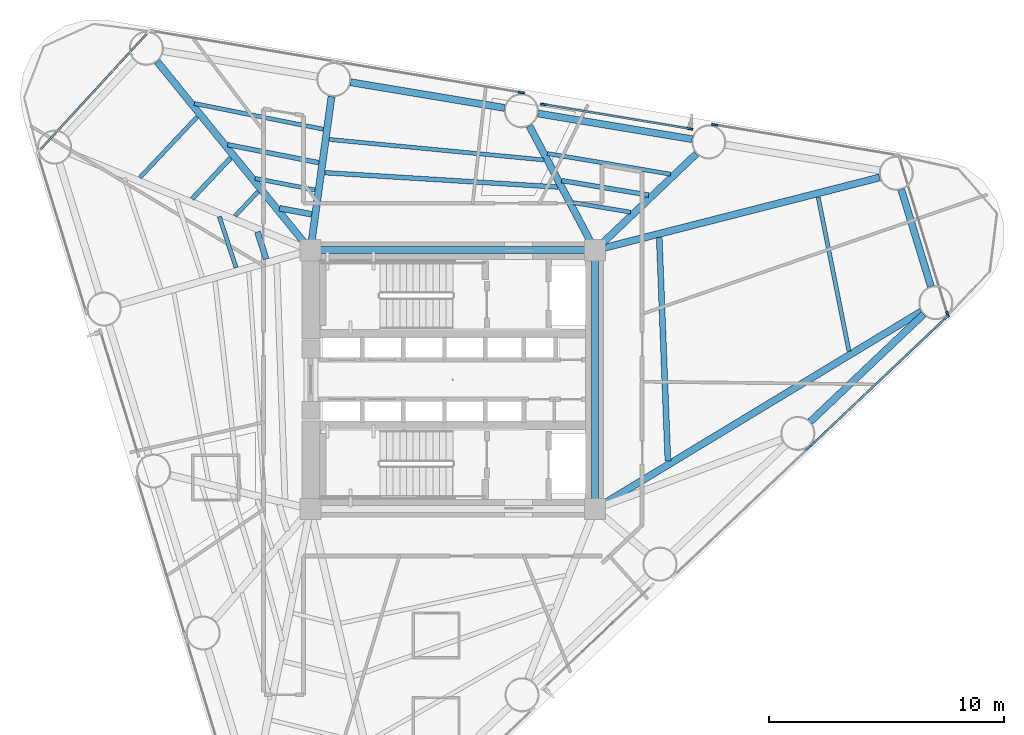
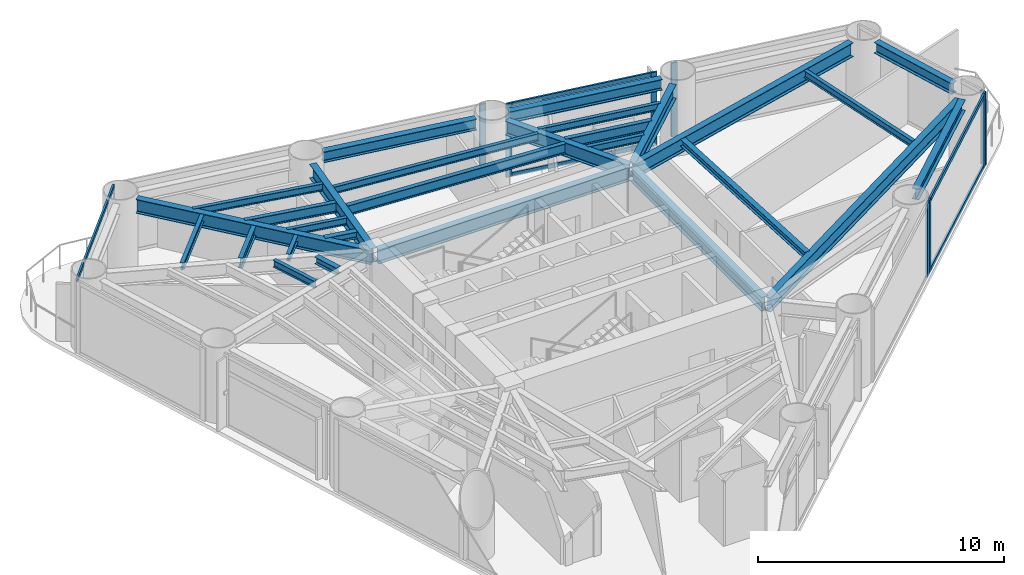
# One storey, part 3 of 10: 28 beams, 14 members, 7 elements without a shape of their own.
"""IFC4 building model written with IfcOpenShell, lengths in metres."""

import ifcopenshell
import ifcopenshell.guid

model = None  # the IFC model being written
_history = None  # IfcOwnerHistory: only IFC2X3 demands one
_inside = {}  # id of a spatial element -> (the spatial element, [elements in it])
_under = {}  # id of a project, library or spatial element -> (it, [spatial elements below it])
_declared = {}  # id of a project -> (the project, [libraries it declares])
_typed = {}  # id of a type object -> (the type object, [elements of that type])
_made_of = {}  # id of a material, layer set ... -> (it, [elements and type objects made of it])


def new_model(schema):
    """Start an empty IFC model of exactly this schema.

    Asked for "IFC4X3", IfcOpenShell would pick the latest addendum, in which some entities
    have other attributes; the version numbers below select the first issue.
    IFC2X3 requires an IfcOwnerHistory on every rooted entity: one is made here for all.
    """
    global model, _history
    if schema == "IFC4X3":
        model = ifcopenshell.file(schema_version=(4, 3, 0, 0))
    else:
        model = ifcopenshell.file(schema=schema)
    _inside.clear()
    _under.clear()
    _declared.clear()
    _typed.clear()
    _made_of.clear()
    _history = None
    if model.schema == "IFC2X3":
        org = make("IfcOrganization", Name="unknown")
        user = make(
            "IfcPersonAndOrganization",
            ThePerson=make("IfcPerson", FamilyName="unknown"),
            TheOrganization=org,
        )
        app = make(
            "IfcApplication",
            ApplicationDeveloper=org,
            Version="unknown",
            ApplicationFullName="unknown",
            ApplicationIdentifier="unknown",
        )
        _history = make(
            "IfcOwnerHistory",
            OwningUser=user,
            OwningApplication=app,
            ChangeAction="ADDED",
            CreationDate=0,
        )
    return model


def make(cls, **values):
    """One entity of the class cls with the attributes given. An attribute that is None is left unset."""
    return model.create_entity(
        cls, **{name: value for name, value in values.items() if value is not None}
    )


def rooted(cls, **values):
    """An entity with a GlobalId (a new one), such as an element, a storey or a relation."""
    return make(cls, GlobalId=ifcopenshell.guid.new(), OwnerHistory=_history, **values)


def si_unit(unit_type, name, prefix=None):
    """IfcSIUnit, for example si_unit("LENGTHUNIT", "METRE", prefix="MILLI")."""
    return make("IfcSIUnit", UnitType=unit_type, Prefix=prefix, Name=name)


def assignment(units):
    """IfcUnitAssignment: the units of a project."""
    return None if units is None else make("IfcUnitAssignment", Units=units)


def point(xyz):
    """IfcCartesianPoint."""
    return None if xyz is None else make("IfcCartesianPoint", Coordinates=xyz)


def direction(xyz):
    """IfcDirection."""
    return None if xyz is None else make("IfcDirection", DirectionRatios=xyz)


def frame(location, z_axis=None, x_axis=None):
    """IfcAxis2Placement3D, a coordinate frame: its origin and axes. An axis left out is left unset."""
    return make(
        "IfcAxis2Placement3D",
        Location=point(location),
        Axis=direction(z_axis),
        RefDirection=direction(x_axis),
    )


def frame_2d(location, x_axis=None):
    """IfcAxis2Placement2D, a coordinate frame in the plane: its origin and x axis."""
    return make(
        "IfcAxis2Placement2D", Location=point(location), RefDirection=direction(x_axis)
    )


def origin():
    """The frame at (0, 0, 0) with its axes left unset."""
    return frame((0.0, 0.0, 0.0))


def origin_2d():
    """The frame at (0, 0) in the plane with its x axis left unset."""
    return frame_2d((0.0, 0.0))


def place(relative_to, where):
    """IfcLocalPlacement: puts the frame where relative to a parent placement (None: the world)."""
    return make(
        "IfcLocalPlacement", PlacementRelTo=relative_to, RelativePlacement=where
    )


def context(
    kind, dimensions, precision=None, world=None, true_north=None, identifier=None
):
    """IfcGeometricRepresentationContext, for example the 3D "Model" context."""
    return make(
        "IfcGeometricRepresentationContext",
        ContextIdentifier=identifier,
        ContextType=kind,
        CoordinateSpaceDimension=dimensions,
        Precision=precision,
        WorldCoordinateSystem=world,
        TrueNorth=true_north,
    )


def subcontext(parent, identifier, kind, view, scale=None):
    """IfcGeometricRepresentationSubContext, for example "Body" below "Model"."""
    return make(
        "IfcGeometricRepresentationSubContext",
        ContextIdentifier=identifier,
        ContextType=kind,
        ParentContext=parent,
        TargetScale=scale,
        TargetView=view,
    )


def project(units=None, contexts=None):
    """IfcProject with its units and contexts."""
    return rooted(
        "IfcProject",
        Name="project",
        RepresentationContexts=contexts,
        UnitsInContext=assignment(units),
    )


def spatial(cls, under=None, at=None, **own):
    """A site, building, storey or space (cls), placed at a placement, below another one or the project."""
    s = rooted(cls, ObjectPlacement=at, **own)
    if under is not None:
        _under.setdefault(under.id(), (under, []))[1].append(s)
    return s


def profile(cls, at=None, kind="AREA", **sizes):
    """A parametric profile (cls). Its sizes go by their IFC names, for example OverallWidth=200.0."""
    return make(cls, ProfileType=kind, Position=at, **sizes)


def rectangle(**sizes):
    """IfcRectangleProfileDef."""
    return profile("IfcRectangleProfileDef", **sizes)


def i_section(**sizes):
    """IfcIShapeProfileDef."""
    return profile("IfcIShapeProfileDef", **sizes)


def extrude(swept, where, along, depth):
    """IfcExtrudedAreaSolid: the profile swept, set in the frame where, extruded along a direction by depth."""
    return make(
        "IfcExtrudedAreaSolid",
        SweptArea=swept,
        Position=where,
        ExtrudedDirection=direction(along),
        Depth=depth,
    )


def shape(context_of_items, identifier, shape_type, items):
    """IfcShapeRepresentation: the items that make up one representation, for example the "Body"."""
    return make(
        "IfcShapeRepresentation",
        ContextOfItems=context_of_items,
        RepresentationIdentifier=identifier,
        RepresentationType=shape_type,
        Items=items,
    )


def source(mapping_origin, context_of_items, identifier, shape_type, items):
    """IfcRepresentationMap: a shape defined once, which mapped items show again and again."""
    return make(
        "IfcRepresentationMap",
        MappingOrigin=mapping_origin,
        MappedRepresentation=shape(context_of_items, identifier, shape_type, items),
    )


def transform(
    local_origin,
    x_axis=None,
    y_axis=None,
    z_axis=None,
    scale=None,
    scale2=None,
    scale3=None,
    uniform=True,
):
    """IfcCartesianTransformationOperator3D, or its non-uniform kind. x_axis, y_axis, z_axis: its Axis1, 2, 3."""
    if uniform:
        return make(
            "IfcCartesianTransformationOperator3D",
            Axis1=direction(x_axis),
            Axis2=direction(y_axis),
            LocalOrigin=point(local_origin),
            Scale=scale,
            Axis3=direction(z_axis),
        )
    return make(
        "IfcCartesianTransformationOperator3DnonUniform",
        Axis1=direction(x_axis),
        Axis2=direction(y_axis),
        LocalOrigin=point(local_origin),
        Scale=scale,
        Axis3=direction(z_axis),
        Scale2=scale2,
        Scale3=scale3,
    )


def mapped(mapping_source, mapping_target):
    """IfcMappedItem: shows the shape of a source again, moved by a transform."""
    return make(
        "IfcMappedItem", MappingSource=mapping_source, MappingTarget=mapping_target
    )


def material(Name=None, Category=None):
    """IfcMaterial."""
    return make("IfcMaterial", Name=Name, Category=Category)


def layer(
    of_material, thickness, ventilated=None, Name=None, Category=None, Priority=None
):
    """IfcMaterialLayer: one layer of a wall or slab, of a material (None: an air gap)."""
    return make(
        "IfcMaterialLayer",
        Material=of_material,
        LayerThickness=thickness,
        IsVentilated=ventilated,
        Name=Name,
        Category=Category,
        Priority=Priority,
    )


def layer_set(layers, Name=None):
    """IfcMaterialLayerSet."""
    return make("IfcMaterialLayerSet", MaterialLayers=layers, LayerSetName=Name)


def material_profile(
    of_material, cross_section, Name=None, Category=None, Priority=None
):
    """IfcMaterialProfile: a cross section and its material."""
    return make(
        "IfcMaterialProfile",
        Name=Name,
        Material=of_material,
        Profile=cross_section,
        Priority=Priority,
        Category=Category,
    )


def profile_set(profiles, Name=None, composite=None):
    """IfcMaterialProfileSet."""
    return make(
        "IfcMaterialProfileSet",
        Name=Name,
        MaterialProfiles=profiles,
        CompositeProfile=composite,
    )


def made_of(thing, what):
    """Note that an element or type object is made of a material, layer set ...; save() writes the relation."""
    if what is not None:
        _made_of.setdefault(what.id(), (what, []))[1].append(thing)
    return thing


def type_object(cls, material=None, **own):
    """A type object (cls), such as IfcWallType, which elements share."""
    return made_of(rooted(cls, **own), material)


def element(
    cls,
    number,
    at=None,
    inside=None,
    cuts=None,
    type_object=None,
    material=None,
    context=None,
    identifier="Body",
    shape_type=None,
    held_by="IfcProductDefinitionShape",
    body=None,
    shapes=None,
    **own,
):
    """One element of the class cls, such as IfcWall. Its Tag is "e" and its number.

    at: its placement. inside: the storey or other place that contains it. cuts: it is an
    opening in that element (IfcRelVoidsElement). A single representation is given by context,
    identifier, shape_type and body (its items); several are given by shapes. held_by: the class
    of the entity that holds the representations. save() writes the other relations.
    """
    e = rooted(cls, Tag="e%d" % number, ObjectPlacement=at, **own)
    if body is not None:
        shapes = [shape(context, identifier, shape_type, body)]
    if shapes is not None:
        e.Representation = make(held_by, Representations=shapes)
    if inside is not None:
        _inside.setdefault(inside.id(), (inside, []))[1].append(e)
    if cuts is not None:
        rooted(
            "IfcRelVoidsElement", RelatingBuildingElement=cuts, RelatedOpeningElement=e
        )
    if type_object is not None:
        _typed.setdefault(type_object.id(), (type_object, []))[1].append(e)
    return made_of(e, material)


def aggregate(whole, parts):
    """IfcRelAggregates: a whole, such as a stair, and the parts it consists of."""
    return rooted("IfcRelAggregates", RelatingObject=whole, RelatedObjects=parts)


def save(model, path):
    """Write the relations noted so far, then the file.

    IfcRelAggregates (storeys below a building ...), IfcRelContainedInSpatialStructure (elements
    in a storey), IfcRelDefinesByType, IfcRelAssociatesMaterial and IfcRelDeclares: one each for
    every whole, place, type object, material and project.
    """
    for whole, parts in _under.values():
        aggregate(whole, parts)
    for where, things in _inside.values():
        rooted(
            "IfcRelContainedInSpatialStructure",
            RelatedElements=things,
            RelatingStructure=where,
        )
    for kind, things in _typed.values():
        rooted("IfcRelDefinesByType", RelatedObjects=things, RelatingType=kind)
    for what, things in _made_of.values():
        rooted("IfcRelAssociatesMaterial", RelatedObjects=things, RelatingMaterial=what)
    for by, libraries in _declared.values():
        rooted("IfcRelDeclares", RelatingContext=by, RelatedDefinitions=libraries)
    model.write(path)


model = new_model("IFC4")

# Units and contexts
model_context = context("Model", 3, precision=1e-05, world=origin(), true_north=direction((0.0, 1.0)))
body_context = subcontext(model_context, "Body", "Model", "MODEL_VIEW")
ifc_project = project(units=[si_unit("LENGTHUNIT", "METRE"), si_unit("AREAUNIT", "SQUARE_METRE"), si_unit("VOLUMEUNIT", "CUBIC_METRE"), si_unit("PLANEANGLEUNIT", "RADIAN"), si_unit("MASSUNIT", "GRAM", prefix="KILO")], contexts=[model_context])

# Site, building, storey
site_placement = place(None, origin())
site = spatial("IfcSite", under=ifc_project, at=site_placement, CompositionType="ELEMENT")
building_placement = place(site_placement, origin())
building = spatial("IfcBuilding", under=site, at=building_placement, Name="Yunling Apex Tower", CompositionType="ELEMENT")
storey_placement = place(building_placement, frame((0.0, 0.0, 89.89990234375)))
storey = spatial("IfcBuildingStorey", under=building, at=storey_placement, Name="L22", CompositionType="ELEMENT", Elevation=89.89990234375)

# Beams
ifc_material_1 = material(Name="Steel Q355B", Category="steel")
ifc_material_profile_1 = material_profile(ifc_material_1, i_section(OverallWidth=0.300048828125, OverallDepth=0.699951171875, WebThickness=0.012939453125, FlangeThickness=0.02392578125, FilletRadius=0.02587890625, at=origin_2d()))
ifc_profile_set_1 = profile_set([ifc_material_profile_1], Name="Steel Q355B")
beam_type_1 = type_object("IfcBeamType", Name="BG-PRI-3", PredefinedType="USERDEFINED", material=ifc_profile_set_1)
shared_shape_1 = source(origin(), body_context, "Body", "SweptSolid", [
    extrude(i_section(OverallWidth=0.300048828125, OverallDepth=0.699951171875, WebThickness=0.012939453125, FlangeThickness=0.02392578125, FilletRadius=0.02587890625, at=origin_2d()), origin(), (0.0, 0.0, 1.0), 11.7998046875),
])
beam_1_placement = place(storey_placement, frame((5.89990234375, 5.5, 3.215087890625), z_axis=(-1.0, 0.0, 0.0), x_axis=(0.0, -1.0, 0.0)))
element("IfcBeam", 1, at=beam_1_placement, inside=storey, type_object=beam_type_1, Name="L22 Core Ring Tie Beam 3", ObjectType="GIRDER", PredefinedType="USERDEFINED", context=body_context, shape_type="MappedRepresentation", body=[
    mapped(shared_shape_1, transform((0.0, 0.0, 0.0), scale=1.0)),
])
shared_shape_2 = source(origin(), body_context, "Body", "SweptSolid", [
    extrude(i_section(OverallWidth=0.300048828125, OverallDepth=0.699951171875, WebThickness=0.012939453125, FlangeThickness=0.02392578125, FilletRadius=0.02587890625, at=origin_2d()), origin(), (0.0, 0.0, 1.0), 10.7001953125),
])
beam_2_placement = place(storey_placement, frame((6.050048828125, -5.35009765625, 3.215087890625), z_axis=(0.0, 1.0, 0.0), x_axis=(-1.0, 0.0, 0.0)))
element("IfcBeam", 2, at=beam_2_placement, inside=storey, type_object=beam_type_1, Name="L22 Core Ring Tie Beam 2", ObjectType="GIRDER", PredefinedType="USERDEFINED", context=body_context, shape_type="MappedRepresentation", body=[
    mapped(shared_shape_2, transform((0.0, 0.0, 0.0), scale=1.0)),
])
ifc_material_profile_2 = material_profile(ifc_material_1, i_section(OverallWidth=0.300048828125, OverallDepth=0.5400390625, WebThickness=0.011962890625, FlangeThickness=0.02001953125, FilletRadius=0.02392578125, at=origin_2d()))
ifc_profile_set_2 = profile_set([ifc_material_profile_2], Name="Steel Q355B")
beam_type_2 = type_object("IfcBeamType", Name="BP-SPN-1", PredefinedType="SPANDREL", material=ifc_profile_set_2)
shared_shape_3 = source(origin(), body_context, "Body", "SweptSolid", [
    extrude(i_section(OverallWidth=0.300048828125, OverallDepth=0.5400390625, WebThickness=0.011962890625, FlangeThickness=0.02001953125, FilletRadius=0.02392578125, at=origin_2d()), origin(), (0.0, 0.0, 1.0), 6.6416015625),
])
beam_3_placement = place(storey_placement, frame((15.194580078125, -1.79248046875, 3.295166015625), z_axis=(0.725873473547, 0.687828249203, 0.0), x_axis=(-0.687828249203, 0.725873473547, 0.0)))
element("IfcBeam", 3, at=beam_3_placement, inside=storey, type_object=beam_type_2, Name="L22 Perimeter Spandrel Beam 4", PredefinedType="SPANDREL", context=body_context, shape_type="MappedRepresentation", body=[
    mapped(shared_shape_3, transform((0.0, 0.0, 0.0), scale=1.0)),
])
shared_shape_4 = source(origin(), body_context, "Body", "SweptSolid", [
    extrude(i_section(OverallWidth=0.300048828125, OverallDepth=0.5400390625, WebThickness=0.011962890625, FlangeThickness=0.02001953125, FilletRadius=0.02392578125, at=origin_2d()), origin(), (0.0, 0.0, 1.0), 4.316162109375),
])
beam_4_placement = place(storey_placement, frame((20.327392578125, 3.9580078125, 3.295166015625), z_axis=(-0.29238810835, 0.956299740717, 0.0), x_axis=(-0.956299740717, -0.29238810835, 0.0)))
element("IfcBeam", 4, at=beam_4_placement, inside=storey, type_object=beam_type_2, Name="L22 Perimeter Spandrel Beam 5", PredefinedType="SPANDREL", context=body_context, shape_type="MappedRepresentation", body=[
    mapped(shared_shape_4, transform((0.0, 0.0, 0.0), scale=1.0)),
])
shared_shape_5 = source(origin(), body_context, "Body", "SweptSolid", [
    extrude(i_section(OverallWidth=0.300048828125, OverallDepth=0.5400390625, WebThickness=0.011962890625, FlangeThickness=0.02001953125, FilletRadius=0.02392578125, at=origin_2d()), origin(), (0.0, 0.0, 1.0), 6.641845703125),
])
for number, where, z_axis, x_axis, name in (
    (5, (10.176025390625, 10.21923828125, 3.295166015625), (-0.986402863526, 0.164345340146, 0.0), (-0.164345340146, -0.986402863526, 0.0), "L22 Perimeter Spandrel Beam 7"),
    (6, (2.206298828125, 11.547119140625, 3.295166015625), (-0.986396904036, 0.164381105081, 0.0), (-0.164381105081, -0.986396904036, 0.0), "L22 Perimeter Spandrel Beam 8"),
):
    element("IfcBeam", number, at=place(storey_placement, frame(where, z_axis=z_axis, x_axis=x_axis)), inside=storey, type_object=beam_type_2, Name=name, PredefinedType="SPANDREL", context=body_context, shape_type="MappedRepresentation", body=[
        mapped(shared_shape_5, transform((0.0, 0.0, 0.0), scale=1.0)),
    ])
shared_shape_6 = source(origin(), body_context, "Body", "SweptSolid", [
    extrude(i_section(OverallWidth=0.300048828125, OverallDepth=0.699951171875, WebThickness=0.012939453125, FlangeThickness=0.02392578125, FilletRadius=0.02587890625, at=origin_2d()), origin(), (0.0, 0.0, 1.0), 16.12255859375),
])
beam_5_placement = place(storey_placement, frame((19.91064453125, 2.890869140625, 3.215087890625), z_axis=(-0.855460711475, -0.517867715854, 0.0), x_axis=(0.517867715854, -0.855460711475, 0.0)))
element("IfcBeam", 7, at=beam_5_placement, inside=storey, type_object=beam_type_1, Name="L22 Radial Primary Girder R05", ObjectType="GIRDER", PredefinedType="USERDEFINED", context=body_context, shape_type="MappedRepresentation", body=[
    mapped(shared_shape_6, transform((0.0, 0.0, 0.0), scale=1.0)),
])
shared_shape_7 = source(origin(), body_context, "Body", "SweptSolid", [
    extrude(i_section(OverallWidth=0.300048828125, OverallDepth=0.699951171875, WebThickness=0.012939453125, FlangeThickness=0.02392578125, FilletRadius=0.02587890625, at=origin_2d()), origin(), (0.0, 0.0, 1.0), 12.404052734375),
])
beam_6_placement = place(storey_placement, frame((18.14501953125, 8.591552734375, 3.215087890625), z_axis=(-0.968850823376, -0.247645072723, 0.0), x_axis=(0.247645072723, -0.968850823376, 0.0)))
element("IfcBeam", 8, at=beam_6_placement, inside=storey, type_object=beam_type_1, Name="L22 Radial Primary Girder R06", ObjectType="GIRDER", PredefinedType="USERDEFINED", context=body_context, shape_type="MappedRepresentation", body=[
    mapped(shared_shape_7, transform((0.0, 0.0, 0.0), scale=1.0)),
])
shared_shape_8 = source(origin(), body_context, "Body", "SweptSolid", [
    extrude(i_section(OverallWidth=0.300048828125, OverallDepth=0.699951171875, WebThickness=0.012939453125, FlangeThickness=0.02392578125, FilletRadius=0.02587890625, at=origin_2d()), origin(), (0.0, 0.0, 1.0), 5.861572265625),
])
beam_7_placement = place(storey_placement, frame((10.354248046875, 9.595703125, 3.215087890625), z_axis=(-0.724444921608, -0.689332688588, 0.0), x_axis=(0.689332688588, -0.724444921608, 0.0)))
element("IfcBeam", 9, at=beam_7_placement, inside=storey, type_object=beam_type_1, Name="L22 Radial Primary Girder R07", ObjectType="GIRDER", PredefinedType="USERDEFINED", context=body_context, shape_type="MappedRepresentation", body=[
    mapped(shared_shape_8, transform((0.0, 0.0, 0.0), scale=1.0)),
])
shared_shape_9 = source(origin(), body_context, "Body", "SweptSolid", [
    extrude(i_section(OverallWidth=0.300048828125, OverallDepth=0.699951171875, WebThickness=0.012939453125, FlangeThickness=0.02392578125, FilletRadius=0.02587890625, at=origin_2d()), origin(), (0.0, 0.0, 1.0), 5.8935546875),
])
beam_8_placement = place(storey_placement, frame((3.258056640625, 10.781005859375, 3.215087890625), z_axis=(0.467396595772, -0.884047748858, 0.0), x_axis=(0.884047748858, 0.467396595772, 0.0)))
element("IfcBeam", 10, at=beam_8_placement, inside=storey, type_object=beam_type_1, Name="L22 Radial Primary Girder R08", ObjectType="GIRDER", PredefinedType="USERDEFINED", context=body_context, shape_type="MappedRepresentation", body=[
    mapped(shared_shape_9, transform((0.0, 0.0, 0.0), scale=1.0)),
])
shared_shape_10 = source(origin(), body_context, "Body", "SweptSolid", [
    extrude(i_section(OverallWidth=0.300048828125, OverallDepth=0.699951171875, WebThickness=0.012939453125, FlangeThickness=0.02392578125, FilletRadius=0.02587890625, at=origin_2d()), origin(), (0.0, 0.0, 1.0), 6.51171875),
])
beam_9_placement = place(storey_placement, frame((-5.154052734375, 12.03076171875, 3.215087890625), z_axis=(-0.135907866291, -0.990721480478, 0.0), x_axis=(0.990721480478, -0.135907866291, 0.0)))
element("IfcBeam", 11, at=beam_9_placement, inside=storey, type_object=beam_type_1, Name="L22 Radial Primary Girder R09", ObjectType="GIRDER", PredefinedType="USERDEFINED", context=body_context, shape_type="MappedRepresentation", body=[
    mapped(shared_shape_10, transform((0.0, 0.0, 0.0), scale=1.0)),
])
shared_shape_11 = source(origin(), body_context, "Body", "SweptSolid", [
    extrude(i_section(OverallWidth=0.300048828125, OverallDepth=0.699951171875, WebThickness=0.012939453125, FlangeThickness=0.02392578125, FilletRadius=0.02587890625, at=origin_2d()), origin(), (0.0, 0.0, 1.0), 10.248046875),
])
beam_10_placement = place(storey_placement, frame((-12.56201171875, 13.51611328125, 3.215087890625), z_axis=(0.630531635465, -0.776163550212, 0.0), x_axis=(0.776163550212, 0.630531635465, 0.0)))
element("IfcBeam", 12, at=beam_10_placement, inside=storey, type_object=beam_type_1, Name="L22 Radial Primary Girder R10", ObjectType="GIRDER", PredefinedType="USERDEFINED", context=body_context, shape_type="MappedRepresentation", body=[
    mapped(shared_shape_11, transform((0.0, 0.0, 0.0), scale=1.0)),
])
ifc_material_profile_3 = material_profile(ifc_material_1, i_section(OverallWidth=0.175048828125, OverallDepth=0.35009765625, WebThickness=0.007080078125, FlangeThickness=0.010986328125, FilletRadius=0.013916015625, at=origin_2d()))
ifc_profile_set_3 = profile_set([ifc_material_profile_3], Name="Steel Q355B")
beam_type_3 = type_object("IfcBeamType", Name="BJ-JST-1", PredefinedType="JOIST", material=ifc_profile_set_3)
shared_shape_12 = source(origin(), body_context, "Body", "SweptSolid", [
    extrude(i_section(OverallWidth=0.175048828125, OverallDepth=0.35009765625, WebThickness=0.007080078125, FlangeThickness=0.010986328125, FilletRadius=0.013916015625, at=origin_2d()), origin(), (0.0, 0.0, 1.0), 6.677978515625),
])
beam_11_placement = place(storey_placement, frame((16.844970703125, 1.2109375, 3.39013671875), z_axis=(-0.196502798026, 0.980503263823, 0.0), x_axis=(-0.980503263823, -0.196502798026, 0.0)))
element("IfcBeam", 13, at=beam_11_placement, inside=storey, type_object=beam_type_3, Name="L22 Composite Floor Joist BJ1-5", PredefinedType="JOIST", context=body_context, shape_type="MappedRepresentation", body=[
    mapped(shared_shape_12, transform((0.0, 0.0, 0.0), scale=1.0)),
])
ifc_material_profile_4 = material_profile(ifc_material_1, i_section(OverallWidth=0.25, OverallDepth=0.340087890625, WebThickness=0.009033203125, FlangeThickness=0.013916015625, FilletRadius=0.01806640625, at=origin_2d()))
ifc_profile_set_4 = profile_set([ifc_material_profile_4], Name="Steel Q355B")
beam_type_4 = type_object("IfcBeamType", Name="BJ-JST-2", PredefinedType="JOIST", material=ifc_profile_set_4)
shared_shape_13 = source(origin(), body_context, "Body", "SweptSolid", [
    extrude(i_section(OverallWidth=0.25, OverallDepth=0.340087890625, WebThickness=0.009033203125, FlangeThickness=0.013916015625, FilletRadius=0.01806640625, at=origin_2d()), origin(), (0.0, 0.0, 1.0), 9.504638671875),
])
beam_12_placement = place(storey_placement, frame((9.146484375, -3.4619140625, 3.39501953125), z_axis=(-0.038811925144, 0.999246533377, 0.0), x_axis=(-0.999246533377, -0.038811925144, 0.0)))
element("IfcBeam", 14, at=beam_12_placement, inside=storey, type_object=beam_type_4, Name="L22 Composite Floor Joist BJ2-5", PredefinedType="JOIST", context=body_context, shape_type="MappedRepresentation", body=[
    mapped(shared_shape_13, transform((0.0, 0.0, 0.0), scale=1.0)),
])
ifc_material_profile_5 = material_profile(ifc_material_1, i_section(OverallWidth=0.199951171875, OverallDepth=0.5, WebThickness=0.010009765625, FlangeThickness=0.01611328125, FilletRadius=0.02001953125, at=origin_2d()))
ifc_profile_set_5 = profile_set([ifc_material_profile_5], Name="Steel Q355B")
beam_type_5 = type_object("IfcBeamType", Name="BS-SEC-2", PredefinedType="BEAM", material=ifc_profile_set_5)
shared_shape_14 = source(origin(), body_context, "Body", "SweptSolid", [
    extrude(i_section(OverallWidth=0.199951171875, OverallDepth=0.5, WebThickness=0.010009765625, FlangeThickness=0.01611328125, FilletRadius=0.02001953125, at=origin_2d()), origin(), (0.0, 0.0, 1.0), 3.751708984375),
])
beam_13_placement = place(storey_placement, frame((8.328125, 7.84423828125, 3.315185546875), z_axis=(-0.986342871573, 0.164705008112, 0.0), x_axis=(-0.164705008112, -0.986342871573, 0.0)))
element("IfcBeam", 15, at=beam_13_placement, inside=storey, type_object=beam_type_5, Name="L22 Composite Floor Beam BS-7", PredefinedType="BEAM", context=body_context, shape_type="MappedRepresentation", body=[
    mapped(shared_shape_14, transform((0.0, 0.0, 0.0), scale=1.0)),
])
shared_shape_15 = source(origin(), body_context, "Body", "SweptSolid", [
    extrude(i_section(OverallWidth=0.175048828125, OverallDepth=0.35009765625, WebThickness=0.007080078125, FlangeThickness=0.010986328125, FilletRadius=0.013916015625, at=origin_2d()), origin(), (0.0, 0.0, 1.0), 5.31298828125),
])
beam_14_placement = place(storey_placement, frame((9.26220703125, 8.733154296875, 3.39013671875), z_axis=(-0.9863379805, 0.164734295835, 0.0), x_axis=(-0.164734295835, -0.9863379805, 0.0)))
element("IfcBeam", 16, at=beam_14_placement, inside=storey, type_object=beam_type_3, Name="L22 Composite Floor Joist BJ1-7", PredefinedType="JOIST", context=body_context, shape_type="MappedRepresentation", body=[
    mapped(shared_shape_15, transform((0.0, 0.0, 0.0), scale=1.0)),
])
shared_shape_16 = source(origin(), body_context, "Body", "SweptSolid", [
    extrude(i_section(OverallWidth=0.175048828125, OverallDepth=0.35009765625, WebThickness=0.007080078125, FlangeThickness=0.010986328125, FilletRadius=0.013916015625, at=origin_2d()), origin(), (0.0, 0.0, 1.0), 2.4736328125),
])
beam_15_placement = place(storey_placement, frame((7.563720703125, 7.116943359375, 3.39013671875), z_axis=(-0.986340524185, 0.164719064925, 0.0), x_axis=(-0.164719064925, -0.986340524185, 0.0)))
element("IfcBeam", 17, at=beam_15_placement, inside=storey, type_object=beam_type_3, Name="L22 Composite Floor Joist BJ3-7", PredefinedType="JOIST", context=body_context, shape_type="MappedRepresentation", body=[
    mapped(shared_shape_16, transform((0.0, 0.0, 0.0), scale=1.0)),
])
shared_shape_17 = source(origin(), body_context, "Body", "SweptSolid", [
    extrude(i_section(OverallWidth=0.199951171875, OverallDepth=0.5, WebThickness=0.010009765625, FlangeThickness=0.01611328125, FilletRadius=0.02001953125, at=origin_2d()), origin(), (0.0, 0.0, 1.0), 9.931396484375),
])
beam_16_placement = place(storey_placement, frame((4.4755859375, 8.185791015625, 3.315185546875), z_axis=(-0.998115763158, 0.061358971106, 0.0), x_axis=(-0.061358971106, -0.998115763158, 0.0)))
element("IfcBeam", 18, at=beam_16_placement, inside=storey, type_object=beam_type_5, Name="L22 Composite Floor Beam BS-8", PredefinedType="BEAM", context=body_context, shape_type="MappedRepresentation", body=[
    mapped(shared_shape_17, transform((0.0, 0.0, 0.0), scale=1.0)),
])
shared_shape_18 = source(origin(), body_context, "Body", "SweptSolid", [
    extrude(i_section(OverallWidth=0.175048828125, OverallDepth=0.35009765625, WebThickness=0.007080078125, FlangeThickness=0.010986328125, FilletRadius=0.013916015625, at=origin_2d()), origin(), (0.0, 0.0, 1.0), 9.154296875),
])
beam_17_placement = place(storey_placement, frame((3.8701171875, 9.33740234375, 3.39013671875), z_axis=(-0.99545727606, 0.095209303851, 0.0), x_axis=(-0.095209303851, -0.99545727606, 0.0)))
element("IfcBeam", 19, at=beam_17_placement, inside=storey, type_object=beam_type_3, Name="L22 Composite Floor Joist BJ1-8", PredefinedType="JOIST", context=body_context, shape_type="MappedRepresentation", body=[
    mapped(shared_shape_18, transform((0.0, 0.0, 0.0), scale=1.0)),
])
shared_shape_19 = source(origin(), body_context, "Body", "SweptSolid", [
    extrude(i_section(OverallWidth=0.199951171875, OverallDepth=0.5, WebThickness=0.010009765625, FlangeThickness=0.01611328125, FilletRadius=0.02001953125, at=origin_2d()), origin(), (0.0, 0.0, 1.0), 3.93603515625),
])
beam_18_placement = place(storey_placement, frame((-5.700439453125, 9.22314453125, 3.315185546875), z_axis=(-0.981071392503, 0.193646386002, 0.0), x_axis=(-0.193646386002, -0.981071392503, 0.0)))
element("IfcBeam", 20, at=beam_18_placement, inside=storey, type_object=beam_type_5, Name="L22 Composite Floor Beam BS-9", PredefinedType="BEAM", context=body_context, shape_type="MappedRepresentation", body=[
    mapped(shared_shape_19, transform((0.0, 0.0, 0.0), scale=1.0)),
])
shared_shape_20 = source(origin(), body_context, "Body", "SweptSolid", [
    extrude(i_section(OverallWidth=0.175048828125, OverallDepth=0.35009765625, WebThickness=0.007080078125, FlangeThickness=0.010986328125, FilletRadius=0.013916015625, at=origin_2d()), origin(), (0.0, 0.0, 1.0), 5.5859375),
])
beam_19_placement = place(storey_placement, frame((-5.505615234375, 10.642822265625, 3.39013671875), z_axis=(-0.980703200221, 0.195502514243, 0.0), x_axis=(-0.195502514243, -0.980703200221, 0.0)))
element("IfcBeam", 21, at=beam_19_placement, inside=storey, type_object=beam_type_3, Name="L22 Composite Floor Joist BJ1-9", PredefinedType="JOIST", context=body_context, shape_type="MappedRepresentation", body=[
    mapped(shared_shape_20, transform((0.0, 0.0, 0.0), scale=1.0)),
])
shared_shape_21 = source(origin(), body_context, "Body", "SweptSolid", [
    extrude(i_section(OverallWidth=0.175048828125, OverallDepth=0.35009765625, WebThickness=0.007080078125, FlangeThickness=0.010986328125, FilletRadius=0.013916015625, at=origin_2d()), origin(), (0.0, 0.0, 1.0), 2.586181640625),
])
beam_20_placement = place(storey_placement, frame((-5.85986328125, 8.061279296875, 3.39013671875), z_axis=(-0.981668903035, 0.190594241295, 0.0), x_axis=(-0.190594241295, -0.981668903035, 0.0)))
element("IfcBeam", 22, at=beam_20_placement, inside=storey, type_object=beam_type_3, Name="L22 Composite Floor Joist BJ3-9", PredefinedType="JOIST", context=body_context, shape_type="MappedRepresentation", body=[
    mapped(shared_shape_21, transform((0.0, 0.0, 0.0), scale=1.0)),
])
shared_shape_22 = source(origin(), body_context, "Body", "SweptSolid", [
    extrude(i_section(OverallWidth=0.25, OverallDepth=0.340087890625, WebThickness=0.009033203125, FlangeThickness=0.013916015625, FilletRadius=0.01806640625, at=origin_2d()), origin(), (0.0, 0.0, 1.0), 1.38671875),
])
beam_21_placement = place(storey_placement, frame((-6.001708984375, 7.028076171875, 3.39501953125), z_axis=(-0.982993560329, 0.183640029272, 0.0), x_axis=(-0.183640029272, -0.982993560329, 0.0)))
element("IfcBeam", 23, at=beam_21_placement, inside=storey, type_object=beam_type_4, Name="L22 Composite Floor Joist BJ2-9", PredefinedType="JOIST", context=body_context, shape_type="MappedRepresentation", body=[
    mapped(shared_shape_22, transform((0.0, 0.0, 0.0), scale=1.0)),
])
shared_shape_23 = source(origin(), body_context, "Body", "SweptSolid", [
    extrude(i_section(OverallWidth=0.199951171875, OverallDepth=0.5, WebThickness=0.010009765625, FlangeThickness=0.01611328125, FilletRadius=0.02001953125, at=origin_2d()), origin(), (0.0, 0.0, 1.0), 2.385498046875),
])
beam_22_placement = place(storey_placement, frame((-9.44091796875, 9.422607421875, 3.315185546875), z_axis=(-0.685604091154, -0.727974608207, 0.0), x_axis=(0.727974608207, -0.685604091154, 0.0)))
element("IfcBeam", 24, at=beam_22_placement, inside=storey, type_object=beam_type_5, Name="L22 Composite Floor Beam BS-10", PredefinedType="BEAM", context=body_context, shape_type="MappedRepresentation", body=[
    mapped(shared_shape_23, transform((0.0, 0.0, 0.0), scale=1.0)),
])
shared_shape_24 = source(origin(), body_context, "Body", "SweptSolid", [
    extrude(i_section(OverallWidth=0.175048828125, OverallDepth=0.35009765625, WebThickness=0.007080078125, FlangeThickness=0.010986328125, FilletRadius=0.013916015625, at=origin_2d()), origin(), (0.0, 0.0, 1.0), 3.558349609375),
])
beam_23_placement = place(storey_placement, frame((-10.862548828125, 11.172607421875, 3.39013671875), z_axis=(-0.685976545908, -0.727623651666, 0.0), x_axis=(0.727623651666, -0.685976545908, 0.0)))
element("IfcBeam", 25, at=beam_23_placement, inside=storey, type_object=beam_type_3, Name="L22 Composite Floor Joist BJ1-10", PredefinedType="JOIST", context=body_context, shape_type="MappedRepresentation", body=[
    mapped(shared_shape_24, transform((0.0, 0.0, 0.0), scale=1.0)),
])
shared_shape_25 = source(origin(), body_context, "Body", "SweptSolid", [
    extrude(i_section(OverallWidth=0.175048828125, OverallDepth=0.35009765625, WebThickness=0.007080078125, FlangeThickness=0.010986328125, FilletRadius=0.013916015625, at=origin_2d()), origin(), (0.0, 0.0, 1.0), 1.42578125),
])
beam_24_placement = place(storey_placement, frame((-8.277587890625, 7.99072265625, 3.39013671875), z_axis=(-0.68493728069, -0.728602032334, 0.0), x_axis=(0.728602032334, -0.68493728069, 0.0)))
element("IfcBeam", 26, at=beam_24_placement, inside=storey, type_object=beam_type_3, Name="L22 Composite Floor Joist BJ3-10", PredefinedType="JOIST", context=body_context, shape_type="MappedRepresentation", body=[
    mapped(shared_shape_25, transform((0.0, 0.0, 0.0), scale=1.0)),
])
shared_shape_26 = source(origin(), body_context, "Body", "SweptSolid", [
    extrude(i_section(OverallWidth=0.175048828125, OverallDepth=0.35009765625, WebThickness=0.007080078125, FlangeThickness=0.010986328125, FilletRadius=0.013916015625, at=origin_2d()), origin(), (0.0, 0.0, 1.0), 2.277099609375),
])
beam_25_placement = place(storey_placement, frame((-9.92138671875, 6.927978515625, 3.39013671875), z_axis=(0.311044342957, -0.950395400196, 0.0), x_axis=(0.950395400196, 0.311044342957, 0.0)))
element("IfcBeam", 27, at=beam_25_placement, inside=storey, type_object=beam_type_3, Name="L22 Composite Floor Joist BJ3-11", PredefinedType="JOIST", context=body_context, shape_type="MappedRepresentation", body=[
    mapped(shared_shape_26, transform((0.0, 0.0, 0.0), scale=1.0)),
])
shared_shape_27 = source(origin(), body_context, "Body", "SweptSolid", [
    extrude(i_section(OverallWidth=0.25, OverallDepth=0.340087890625, WebThickness=0.009033203125, FlangeThickness=0.013916015625, FilletRadius=0.01806640625, at=origin_2d()), origin(), (0.0, 0.0, 1.0), 1.2041015625),
])
beam_26_placement = place(storey_placement, frame((-8.302490234375, 6.275146484375, 3.39501953125), z_axis=(0.306173262139, -0.951975805129, 0.0), x_axis=(0.951975805129, 0.306173262139, 0.0)))
element("IfcBeam", 28, at=beam_26_placement, inside=storey, type_object=beam_type_4, Name="L22 Composite Floor Joist BJ2-11", PredefinedType="JOIST", context=body_context, shape_type="MappedRepresentation", body=[
    mapped(shared_shape_27, transform((0.0, 0.0, 0.0), scale=1.0)),
])

# Curtain wall, member
ifc_material_2 = material(Name="Bronze anodised aluminium", Category="aluminium")
ifc_layer = layer(ifc_material_2, 0.260009765625)
ifc_layer_set = layer_set([ifc_layer], Name="Bronze anodised aluminium")
curtain_wall_type = type_object("IfcCurtainWallType", Name="CW-SYS-2", PredefinedType="NOTDEFINED", material=ifc_layer_set)
curtain_wall_1_placement = place(storey_placement, origin())
curtain_wall_1 = element("IfcCurtainWall", 29, at=curtain_wall_1_placement, inside=storey, type_object=curtain_wall_type, Name="CW-L22-F1-B3", PredefinedType="NOTDEFINED")
ifc_material_profile_6 = material_profile(ifc_material_2, rectangle(XDim=0.0849609375, YDim=0.260009765625, at=origin_2d()))
ifc_profile_set_6 = profile_set([ifc_material_profile_6], Name="Bronze anodised aluminium")
member_type_1 = type_object("IfcMemberType", Name="CW-MUL-2", PredefinedType="MULLION", material=ifc_profile_set_6)
shared_shape_28 = source(origin(), body_context, "Body", "SweptSolid", [
    extrude(rectangle(XDim=0.0849609375, YDim=0.260009765625, at=origin_2d()), origin(), (0.0, 0.0, 1.0), 3.664794921875),
])
member_1_placement = place(storey_placement, frame((15.106689453125, -2.923095703125, -0.0498046875), z_axis=(0.0, 0.0, 1.0), x_axis=(-0.687861264918, 0.72584218686, 0.0)))
member_1 = element("IfcMember", 30, at=member_1_placement, type_object=member_type_1, Name="CW-SYS-2 mullion 2", PredefinedType="MULLION", context=body_context, shape_type="MappedRepresentation", body=[
    mapped(shared_shape_28, transform((0.0, 0.0, 0.0), scale=1.0)),
])
aggregate(curtain_wall_1, [member_1])

# Curtain wall, members
curtain_wall_2_placement = place(storey_placement, origin())
curtain_wall_2 = element("IfcCurtainWall", 31, at=curtain_wall_2_placement, inside=storey, type_object=curtain_wall_type, Name="CW-L22-F1-B4", PredefinedType="NOTDEFINED")
member_2_placement = place(storey_placement, frame((15.28466796875, -2.754638671875, -0.0498046875), z_axis=(0.0, 0.0, 1.0), x_axis=(-0.687861264918, 0.72584218686, 0.0)))
member_2 = element("IfcMember", 32, at=member_2_placement, type_object=member_type_1, Name="CW-SYS-2 mullion 1", PredefinedType="MULLION", context=body_context, shape_type="MappedRepresentation", body=[
    mapped(shared_shape_28, transform((0.0, 0.0, 0.0), scale=1.0)),
])
member_3_placement = place(storey_placement, frame((20.971435546875, 2.634765625, -0.0498046875), z_axis=(0.0, 0.0, 1.0), x_axis=(-0.687861264918, 0.72584218686, 0.0)))
member_3 = element("IfcMember", 33, at=member_3_placement, type_object=member_type_1, Name="CW-SYS-2 mullion 2", PredefinedType="MULLION", context=body_context, shape_type="MappedRepresentation", body=[
    mapped(shared_shape_28, transform((0.0, 0.0, 0.0), scale=1.0)),
])

# Curtain wall, member
curtain_wall_3_placement = place(storey_placement, origin())
curtain_wall_3 = element("IfcCurtainWall", 34, at=curtain_wall_3_placement, inside=storey, type_object=curtain_wall_type, Name="CW-L22-CRN1", PredefinedType="NOTDEFINED")
member_4_placement = place(storey_placement, frame((21.0341796875, 2.77392578125, -0.0498046875), z_axis=(0.0, 0.0, 1.0), x_axis=(-0.95630374567, -0.292375009223, 0.0)))
member_4 = element("IfcMember", 35, at=member_4_placement, type_object=member_type_1, Name="CW-SYS-2 mullion 1", PredefinedType="MULLION", context=body_context, shape_type="MappedRepresentation", body=[
    mapped(shared_shape_28, transform((0.0, 0.0, 0.0), scale=1.0)),
])
aggregate(curtain_wall_3, [member_4])

curtain_wall_4_placement = place(storey_placement, origin())
curtain_wall_4 = element("IfcCurtainWall", 36, at=curtain_wall_4_placement, inside=storey, type_object=curtain_wall_type, Name="CW-L22-F2-B1", PredefinedType="NOTDEFINED")
member_5_placement = place(storey_placement, frame((11.131103515625, 10.83056640625, -0.0498046875), z_axis=(0.0, 0.0, 1.0), x_axis=(-0.16436008369, -0.98640040698, 0.0)))
member_5 = element("IfcMember", 37, at=member_5_placement, type_object=member_type_1, Name="CW-SYS-2 mullion 2", PredefinedType="MULLION", context=body_context, shape_type="MappedRepresentation", body=[
    mapped(shared_shape_28, transform((0.0, 0.0, 0.0), scale=1.0)),
])
aggregate(curtain_wall_4, [member_5])

# Curtain wall, members
curtain_wall_5_placement = place(storey_placement, origin())
curtain_wall_5 = element("IfcCurtainWall", 38, at=curtain_wall_5_placement, inside=storey, type_object=curtain_wall_type, Name="CW-L22-F2-B2", PredefinedType="NOTDEFINED")
member_6_placement = place(storey_placement, frame((10.078857421875, 10.6611328125, -0.0498046875), z_axis=(0.0, 0.0, 1.0), x_axis=(-0.164355844023, -0.986401113409, 0.0)))
member_6 = element("IfcMember", 39, at=member_6_placement, type_object=member_type_1, Name="CW-SYS-2 mullion 1", PredefinedType="MULLION", context=body_context, shape_type="MappedRepresentation", body=[
    mapped(shared_shape_28, transform((0.0, 0.0, 0.0), scale=1.0)),
])
member_7_placement = place(storey_placement, frame((3.85986328125, 11.697509765625, -0.0498046875), z_axis=(0.0, 0.0, 1.0), x_axis=(-0.164355844023, -0.986401113409, 0.0)))
member_7 = element("IfcMember", 40, at=member_7_placement, type_object=member_type_1, Name="CW-SYS-2 mullion 2", PredefinedType="MULLION", context=body_context, shape_type="MappedRepresentation", body=[
    mapped(shared_shape_28, transform((0.0, 0.0, 0.0), scale=1.0)),
])

# Curtain wall, member
curtain_wall_6_placement = place(storey_placement, origin())
curtain_wall_6 = element("IfcCurtainWall", 41, at=curtain_wall_6_placement, inside=storey, type_object=curtain_wall_type, Name="CW-L22-F2-B3", PredefinedType="NOTDEFINED")
member_8_placement = place(storey_placement, frame((2.91943359375, 12.198974609375, -0.0498046875), z_axis=(0.0, 0.0, 1.0), x_axis=(-0.164362130784, -0.986400065878, 0.0)))
member_8 = element("IfcMember", 42, at=member_8_placement, type_object=member_type_1, Name="CW-SYS-2 mullion 1", PredefinedType="MULLION", context=body_context, shape_type="MappedRepresentation", body=[
    mapped(shared_shape_28, transform((0.0, 0.0, 0.0), scale=1.0)),
])
aggregate(curtain_wall_6, [member_8])

# Member
ifc_material_profile_7 = material_profile(ifc_material_2, rectangle(XDim=0.0849609375, YDim=0.199951171875, at=origin_2d()))
ifc_profile_set_7 = profile_set([ifc_material_profile_7], Name="Bronze anodised aluminium")
member_type_2 = type_object("IfcMemberType", Name="CW-TRN-2", PredefinedType="USERDEFINED", material=ifc_profile_set_7)
shared_shape_29 = source(origin(), body_context, "Body", "SweptSolid", [
    extrude(rectangle(XDim=0.0849609375, YDim=0.199951171875, at=origin_2d()), origin(), (0.0, 0.0, 1.0), 7.75830078125),
])
member_9_placement = place(storey_placement, frame((15.312255859375, -2.728271484375, 0.04248046875), z_axis=(0.725842697135, 0.687860726467, 0.0), x_axis=(-0.687860726467, 0.725842697135, 0.0)))
member_9 = element("IfcMember", 43, at=member_9_placement, type_object=member_type_2, Name="CW-SYS-2 transom 1.1", ObjectType="TRANSOM", PredefinedType="USERDEFINED", context=body_context, shape_type="MappedRepresentation", body=[
    mapped(shared_shape_29, transform((0.0, 0.0, 0.0), scale=1.0)),
])

member_10_placement = place(storey_placement, frame((15.312255859375, -2.728271484375, 3.522705078125), z_axis=(0.725842697135, 0.687860726467, 0.0), x_axis=(-0.687860726467, 0.725842697135, 0.0)))
member_10 = element("IfcMember", 44, at=member_10_placement, type_object=member_type_2, Name="CW-SYS-2 transom 1.2", ObjectType="TRANSOM", PredefinedType="USERDEFINED", context=body_context, shape_type="MappedRepresentation", body=[
    mapped(shared_shape_29, transform((0.0, 0.0, 0.0), scale=1.0)),
])

aggregate(curtain_wall_2, [member_2, member_3, member_9, member_10])

shared_shape_30 = source(origin(), body_context, "Body", "SweptSolid", [
    extrude(rectangle(XDim=0.0849609375, YDim=0.199951171875, at=origin_2d()), origin(), (0.0, 0.0, 1.0), 6.228515625),
])
member_11_placement = place(storey_placement, frame((10.041259765625, 10.66748046875, 0.04248046875), z_axis=(-0.986401338544, 0.164354492848, 0.0), x_axis=(-0.164354492848, -0.986401338544, 0.0)))
member_11 = element("IfcMember", 45, at=member_11_placement, type_object=member_type_2, Name="CW-SYS-2 transom 1.1", ObjectType="TRANSOM", PredefinedType="USERDEFINED", context=body_context, shape_type="MappedRepresentation", body=[
    mapped(shared_shape_30, transform((0.0, 0.0, 0.0), scale=1.0)),
])

member_12_placement = place(storey_placement, frame((10.041259765625, 10.66748046875, 2.715087890625), z_axis=(-0.986401338544, 0.164354492848, 0.0), x_axis=(-0.164354492848, -0.986401338544, 0.0)))
member_12 = element("IfcMember", 46, at=member_12_placement, type_object=member_type_2, Name="CW-SYS-2 transom 1.2", ObjectType="TRANSOM", PredefinedType="USERDEFINED", context=body_context, shape_type="MappedRepresentation", body=[
    mapped(shared_shape_30, transform((0.0, 0.0, 0.0), scale=1.0)),
])

member_13_placement = place(storey_placement, frame((10.041259765625, 10.66748046875, 3.522705078125), z_axis=(-0.986401338544, 0.164354492848, 0.0), x_axis=(-0.164354492848, -0.986401338544, 0.0)))
member_13 = element("IfcMember", 47, at=member_13_placement, type_object=member_type_2, Name="CW-SYS-2 transom 1.3", ObjectType="TRANSOM", PredefinedType="USERDEFINED", context=body_context, shape_type="MappedRepresentation", body=[
    mapped(shared_shape_30, transform((0.0, 0.0, 0.0), scale=1.0)),
])

aggregate(curtain_wall_5, [member_6, member_7, member_11, member_12, member_13])

# Curtain wall, member
curtain_wall_7_placement = place(storey_placement, origin())
curtain_wall_7 = element("IfcCurtainWall", 48, at=curtain_wall_7_placement, inside=storey, type_object=curtain_wall_type, Name="CW-L22-CRN2", PredefinedType="NOTDEFINED")
shared_shape_31 = source(origin(), body_context, "Body", "SweptSolid", [
    extrude(rectangle(XDim=0.0849609375, YDim=0.199951171875, at=origin_2d()), origin(), (0.0, 0.0, 1.0), 6.831298828125),
])
member_14_placement = place(storey_placement, frame((-12.957275390625, 14.755615234375, 3.522705078125), z_axis=(-0.676783953504, -0.73618168972, 0.0), x_axis=(0.73618168972, -0.676783953504, 0.0)))
member_14 = element("IfcMember", 49, at=member_14_placement, type_object=member_type_2, Name="CW-SYS-2 transom 1.2", ObjectType="TRANSOM", PredefinedType="USERDEFINED", context=body_context, shape_type="MappedRepresentation", body=[
    mapped(shared_shape_31, transform((0.0, 0.0, 0.0), scale=1.0)),
])
aggregate(curtain_wall_7, [member_14])

save(model, "model.ifc")
